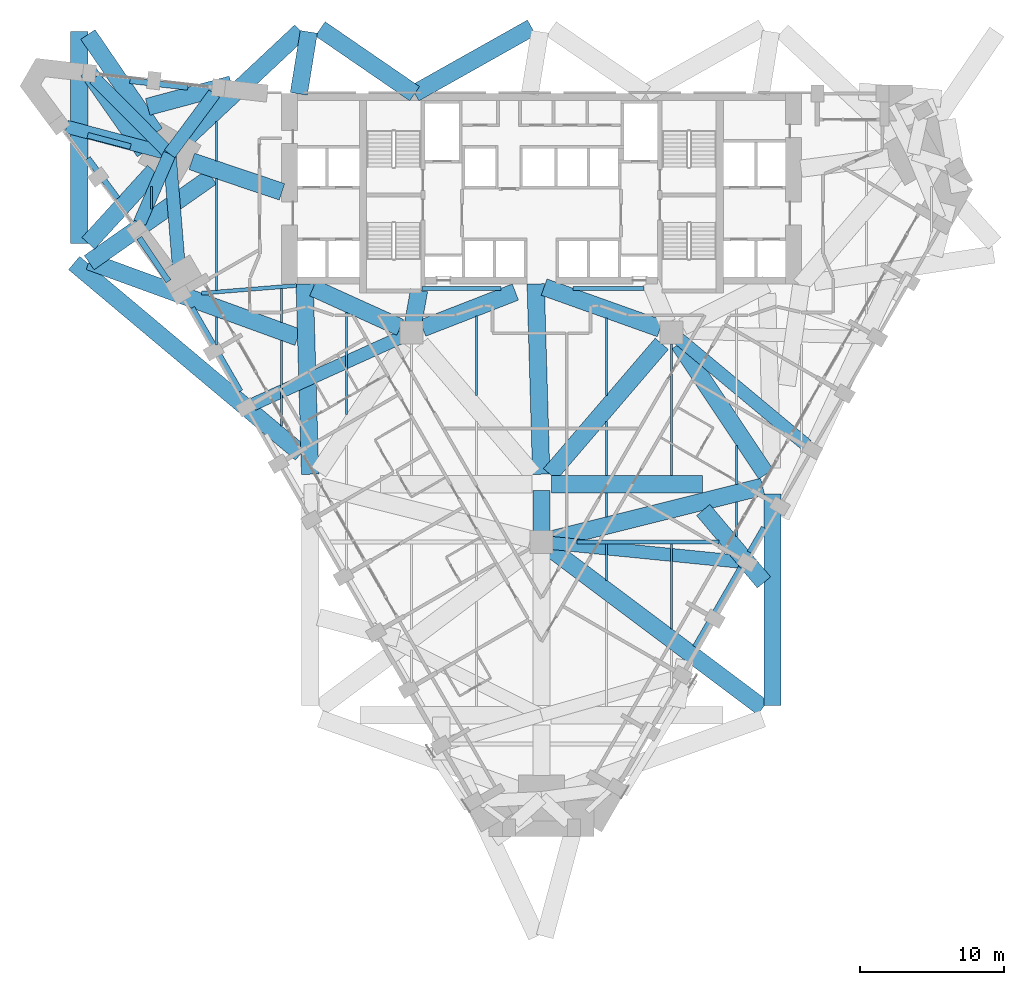
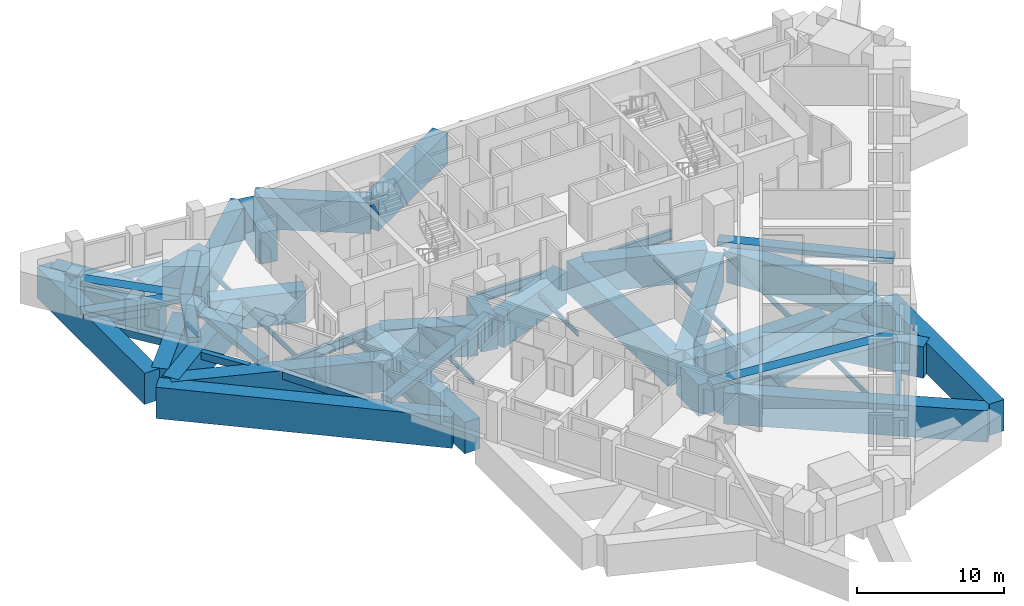
# One storey, part 2 of 12: 62 beams.
"""IFC4 building model written with IfcOpenShell, lengths in metres."""

from ifc_helpers import new_model, si_unit, direction, frame, origin, origin_2d, place, context, subcontext, project, spatial, rectangle, i_section, extrude, material, material_profile, profile_set, type_object, element, save


model = new_model("IFC4")

# Units and contexts
model_context = context("Model", 3, precision=1e-05, world=origin(), true_north=direction((0.0, 1.0)))
body_context = subcontext(model_context, "Body", "Model", "MODEL_VIEW")
ifc_project = project(units=[si_unit("LENGTHUNIT", "METRE"), si_unit("AREAUNIT", "SQUARE_METRE"), si_unit("VOLUMEUNIT", "CUBIC_METRE"), si_unit("PLANEANGLEUNIT", "RADIAN"), si_unit("MASSUNIT", "GRAM", prefix="KILO")], contexts=[model_context])

# Site, building, storey
site_placement = place(None, origin())
site = spatial("IfcSite", under=ifc_project, at=site_placement, CompositionType="ELEMENT")
building_placement = place(site_placement, origin())
building = spatial("IfcBuilding", under=site, at=building_placement, Name="Calabash Gate Tower", CompositionType="ELEMENT")
storey_placement = place(building_placement, frame((0.0, 0.0, 46.0)))
storey = spatial("IfcBuildingStorey", under=building, at=storey_placement, Name="L06", CompositionType="ELEMENT", Elevation=46.0)

# Beams
ifc_material_1 = material(Name="Concrete C80/95", Category="concrete")
ifc_material_profile_1 = material_profile(ifc_material_1, rectangle(XDim=0.89990234375, YDim=0.39990234375, at=origin_2d()))
ifc_profile_set_1 = profile_set([ifc_material_profile_1], Name="Concrete C80/95")
beam_type_1 = type_object("IfcBeamType", Name="Deck band beam RC 900x400 Concrete C80/95", PredefinedType="BEAM", material=ifc_profile_set_1)
beam_1_placement = place(storey_placement, frame((-25.75, 14.866943359375, -0.200927734375), z_axis=(0.081703509981, -0.996656679332, 0.0), x_axis=(0.996656679332, 0.081703509981, 0.0)))
element("IfcBeam", 1, at=beam_1_placement, inside=storey, type_object=beam_type_1, Name="Deck band beam L06 P00", PredefinedType="BEAM", context=body_context, shape_type="SweptSolid", body=[
    extrude(rectangle(XDim=0.89990234375, YDim=0.39990234375, at=origin_2d()), origin(), (0.0, 0.0, 1.0), 9.2900390625),
])
beam_2_placement = place(storey_placement, frame((-9.0, 2.5, -0.200927734375), z_axis=(-0.910951024484, -0.412514522158, 0.0), x_axis=(0.412514522158, -0.910951024484, 0.0)))
element("IfcBeam", 2, at=beam_2_placement, inside=storey, type_object=beam_type_1, Name="Deck band beam L06 P01", PredefinedType="BEAM", context=body_context, shape_type="SweptSolid", body=[
    extrude(rectangle(XDim=0.89990234375, YDim=0.39990234375, at=origin_2d()), origin(), (0.0, 0.0, 1.0), 12.067626953125),
])
beam_3_placement = place(storey_placement, frame((0.0, -12.0, -0.200927734375), z_axis=(0.995045582013, -0.099419765225, 0.0), x_axis=(0.099419765225, 0.995045582013, 0.0)))
element("IfcBeam", 3, at=beam_3_placement, inside=storey, type_object=beam_type_1, Name="Deck band beam L06 P10", PredefinedType="BEAM", context=body_context, shape_type="SweptSolid", body=[
    extrude(rectangle(XDim=0.89990234375, YDim=0.39990234375, at=origin_2d()), origin(), (0.0, 0.0, 1.0), 13.8203125),
])
beam_4_placement = place(storey_placement, frame((9.0, 2.5, -0.200927734375), z_axis=(0.76805550841, -0.640383272737, 0.0), x_axis=(0.640383272737, 0.76805550841, 0.0)))
element("IfcBeam", 4, at=beam_4_placement, inside=storey, type_object=beam_type_1, Name="Deck band beam L06 P11", PredefinedType="BEAM", context=body_context, shape_type="SweptSolid", body=[
    extrude(rectangle(XDim=0.89990234375, YDim=0.39990234375, at=origin_2d()), origin(), (0.0, 0.0, 1.0), 12.1943359375),
])
beam_5_placement = place(storey_placement, frame((-25.75, 14.866943359375, -0.200927734375), z_axis=(0.595078969513, 0.803667232157, 0.0), x_axis=(-0.803667232157, 0.595078969513, 0.0)))
element("IfcBeam", 5, at=beam_5_placement, inside=storey, type_object=beam_type_1, Name="Deck band beam L06 P17", PredefinedType="BEAM", context=body_context, shape_type="SweptSolid", body=[
    extrude(rectangle(XDim=0.89990234375, YDim=0.39990234375, at=origin_2d()), origin(), (0.0, 0.0, 1.0), 5.1875),
])
beam_6_placement = place(storey_placement, frame((-25.75, 14.866943359375, -0.200927734375), z_axis=(-0.704805919381, 0.709400180438, 0.0), x_axis=(-0.709400180438, -0.704805919381, 0.0)))
element("IfcBeam", 6, at=beam_6_placement, inside=storey, type_object=beam_type_1, Name="Deck band beam L06 P18", PredefinedType="BEAM", context=body_context, shape_type="SweptSolid", body=[
    extrude(rectangle(XDim=0.89990234375, YDim=0.39990234375, at=origin_2d()), origin(), (0.0, 0.0, 1.0), 7.386474609375),
])
beam_7_placement = place(storey_placement, frame((-25.75, 14.866943359375, -0.200927734375), z_axis=(-0.966719171341, 0.255839879146, 0.0), x_axis=(-0.255839879146, -0.966719171341, 0.0)))
element("IfcBeam", 7, at=beam_7_placement, inside=storey, type_object=beam_type_1, Name="Deck band beam L06 P19", PredefinedType="BEAM", context=body_context, shape_type="SweptSolid", body=[
    extrude(rectangle(XDim=0.89990234375, YDim=0.39990234375, at=origin_2d()), origin(), (0.0, 0.0, 1.0), 7.387939453125),
])
beam_8_placement = place(storey_placement, frame((-25.75, 14.866943359375, -0.200927734375), z_axis=(-0.398714063737, -0.91707529428, 0.0), x_axis=(0.91707529428, -0.398714063737, 0.0)))
element("IfcBeam", 8, at=beam_8_placement, inside=storey, type_object=beam_type_1, Name="Deck band beam L06 P20", PredefinedType="BEAM", context=body_context, shape_type="SweptSolid", body=[
    extrude(rectangle(XDim=0.89990234375, YDim=0.39990234375, at=origin_2d()), origin(), (0.0, 0.0, 1.0), 5.18701171875),
])
ifc_material_2 = material(Name="Concrete C60/75", Category="concrete")
ifc_material_profile_2 = material_profile(ifc_material_2, rectangle(XDim=0.39990234375, YDim=0.60009765625, at=origin_2d()))
ifc_profile_set_2 = profile_set([ifc_material_profile_2], Name="Concrete C60/75")
beam_type_2 = type_object("IfcBeamType", Name="Edge beam RC 400x600 Concrete C60/75", PredefinedType="BEAM", material=ifc_profile_set_2)
beam_9_placement = place(storey_placement, frame((10.64306640625, -19.27197265625, -0.75), z_axis=(0.500127776063, 0.86595161967, 0.0), x_axis=(-0.86595161967, 0.500127776063, 0.0)))
element("IfcBeam", 9, at=beam_9_placement, inside=storey, type_object=beam_type_2, Name="Edge beam L06 8", PredefinedType="BEAM", context=body_context, shape_type="SweptSolid", body=[
    extrude(rectangle(XDim=0.39990234375, YDim=0.60009765625, at=origin_2d()), origin(), (0.0, 0.0, 1.0), 6.325927734375),
])
beam_10_placement = place(storey_placement, frame((14.4208984375, -12.72607421875, -0.75), z_axis=(0.500131695978, 0.865949355724, 0.0), x_axis=(-0.865949355724, 0.500131695978, 0.0)))
element("IfcBeam", 10, at=beam_10_placement, inside=storey, type_object=beam_type_2, Name="Edge beam L06 9", PredefinedType="BEAM", context=body_context, shape_type="SweptSolid", body=[
    extrude(rectangle(XDim=0.39990234375, YDim=0.60009765625, at=origin_2d()), origin(), (0.0, 0.0, 1.0), 1.9794921875),
])
beam_11_placement = place(storey_placement, frame((-24.486083984375, 19.47900390625, -0.75), z_axis=(-0.993480407873, 0.114002978792, 0.0), x_axis=(-0.114002978792, -0.993480407873, 0.0)))
element("IfcBeam", 11, at=beam_11_placement, inside=storey, type_object=beam_type_2, Name="Edge beam L06 11", PredefinedType="BEAM", context=body_context, shape_type="SweptSolid", body=[
    extrude(rectangle(XDim=0.39990234375, YDim=0.60009765625, at=origin_2d()), origin(), (0.0, 0.0, 1.0), 4.043212890625),
])
beam_12_placement = place(storey_placement, frame((-28.4541015625, 15.376953125, -0.75), z_axis=(-0.966974480662, 0.254873211123, 0.0), x_axis=(-0.254873211123, -0.966974480662, 0.0)))
element("IfcBeam", 12, at=beam_12_placement, inside=storey, type_object=beam_type_2, Name="Edge beam L06 12", PredefinedType="BEAM", context=body_context, shape_type="SweptSolid", body=[
    extrude(rectangle(XDim=0.39990234375, YDim=0.60009765625, at=origin_2d()), origin(), (0.0, 0.0, 1.0), 3.068115234375),
])
beam_13_placement = place(storey_placement, frame((-31.4130859375, 14.571044921875, -0.75), z_axis=(0.595379192421, -0.803444843926, 0.0), x_axis=(0.803444843926, 0.595379192421, 0.0)))
element("IfcBeam", 13, at=beam_13_placement, inside=storey, type_object=beam_type_2, Name="Edge beam L06 13", PredefinedType="BEAM", context=body_context, shape_type="SweptSolid", body=[
    extrude(rectangle(XDim=0.39990234375, YDim=0.60009765625, at=origin_2d()), origin(), (0.0, 0.0, 1.0), 3.465087890625),
])
beam_14_placement = place(storey_placement, frame((-27.85791015625, 9.05810546875, -0.75), z_axis=(0.559604364176, -0.828759890194, 0.0), x_axis=(0.828759890194, 0.559604364176, 0.0)))
element("IfcBeam", 14, at=beam_14_placement, inside=storey, type_object=beam_type_2, Name="Edge beam L06 14", PredefinedType="BEAM", context=body_context, shape_type="SweptSolid", body=[
    extrude(rectangle(XDim=0.39990234375, YDim=0.60009765625, at=origin_2d()), origin(), (0.0, 0.0, 1.0), 3.634521484375),
])
beam_15_placement = place(storey_placement, frame((-24.197021484375, 4.20703125, -0.75), z_axis=(0.499903079731, -0.866081353497, 0.0), x_axis=(0.866081353497, 0.499903079731, 0.0)))
element("IfcBeam", 15, at=beam_15_placement, inside=storey, type_object=beam_type_2, Name="Edge beam L06 15", PredefinedType="BEAM", context=body_context, shape_type="SweptSolid", body=[
    extrude(rectangle(XDim=0.39990234375, YDim=0.60009765625, at=origin_2d()), origin(), (0.0, 0.0, 1.0), 6.669189453125),
])
ifc_material_3 = material(Name="Steel ASTM A992 Gr50", Category="steel")
ifc_material_profile_3 = material_profile(ifc_material_3, i_section(OverallWidth=0.1396484375, OverallDepth=0.398681640625, WebThickness=0.00634765625, FlangeThickness=0.0087890625, FilletRadius=0.01025390625, at=origin_2d()))
ifc_profile_set_3 = profile_set([ifc_material_profile_3], Name="Steel ASTM A992 Gr50")
beam_type_3 = type_object("IfcBeamType", Name="Floor beam W16x26 ASTM A992 Gr50", PredefinedType="BEAM", material=ifc_profile_set_3)
beam_16_placement = place(storey_placement, frame((-27.0, 11.06396484375, -0.64892578125), z_axis=(0.0, 1.0, 0.0), x_axis=(-1.0, 0.0, 0.0)))
element("IfcBeam", 16, at=beam_16_placement, inside=storey, type_object=beam_type_3, Name="Floor beam L06 1", PredefinedType="BEAM", context=body_context, shape_type="SweptSolid", body=[
    extrude(i_section(OverallWidth=0.1396484375, OverallDepth=0.398681640625, WebThickness=0.00634765625, FlangeThickness=0.0087890625, FilletRadius=0.01025390625, at=origin_2d()), origin(), (0.0, 0.0, 1.0), 1.550048828125),
])
beam_17_placement = place(storey_placement, frame((-22.5, 1.634033203125, -0.64892578125), z_axis=(0.0, 1.0, 0.0), x_axis=(-1.0, 0.0, 0.0)))
element("IfcBeam", 17, at=beam_17_placement, inside=storey, type_object=beam_type_3, Name="Floor beam L06 2", PredefinedType="BEAM", context=body_context, shape_type="SweptSolid", body=[
    extrude(i_section(OverallWidth=0.1396484375, OverallDepth=0.398681640625, WebThickness=0.00634765625, FlangeThickness=0.0087890625, FilletRadius=0.01025390625, at=origin_2d()), origin(), (0.0, 0.0, 1.0), 1.95703125),
])
beam_18_placement = place(storey_placement, frame((-22.5, 5.4189453125, -0.64892578125), z_axis=(0.0, 1.0, 0.0), x_axis=(-1.0, 0.0, 0.0)))
element("IfcBeam", 18, at=beam_18_placement, inside=storey, type_object=beam_type_3, Name="Floor beam L06 3", PredefinedType="BEAM", context=body_context, shape_type="SweptSolid", body=[
    extrude(i_section(OverallWidth=0.1396484375, OverallDepth=0.398681640625, WebThickness=0.00634765625, FlangeThickness=0.0087890625, FilletRadius=0.01025390625, at=origin_2d()), origin(), (0.0, 0.0, 1.0), 7.739990234375),
])
beam_19_placement = place(storey_placement, frame((-22.5, 14.39208984375, -0.64892578125), z_axis=(0.0, 1.0, 0.0), x_axis=(-1.0, 0.0, 0.0)))
element("IfcBeam", 19, at=beam_19_placement, inside=storey, type_object=beam_type_3, Name="Floor beam L06 4", PredefinedType="BEAM", context=body_context, shape_type="SweptSolid", body=[
    extrude(i_section(OverallWidth=0.1396484375, OverallDepth=0.398681640625, WebThickness=0.00634765625, FlangeThickness=0.0087890625, FilletRadius=0.01025390625, at=origin_2d()), origin(), (0.0, 0.0, 1.0), 2.708984375),
])
beam_20_placement = place(storey_placement, frame((-18.0, -3.97900390625, -0.64892578125), z_axis=(0.0, 1.0, 0.0), x_axis=(-1.0, 0.0, 0.0)))
element("IfcBeam", 20, at=beam_20_placement, inside=storey, type_object=beam_type_3, Name="Floor beam L06 5", PredefinedType="BEAM", context=body_context, shape_type="SweptSolid", body=[
    extrude(i_section(OverallWidth=0.1396484375, OverallDepth=0.398681640625, WebThickness=0.00634765625, FlangeThickness=0.0087890625, FilletRadius=0.01025390625, at=origin_2d()), origin(), (0.0, 0.0, 1.0), 5.931884765625),
])
beam_21_placement = place(storey_placement, frame((-18.0, 3.18603515625, -0.64892578125), z_axis=(0.0, 1.0, 0.0), x_axis=(-1.0, 0.0, 0.0)))
element("IfcBeam", 21, at=beam_21_placement, inside=storey, type_object=beam_type_3, Name="Floor beam L06 6", PredefinedType="BEAM", context=body_context, shape_type="SweptSolid", body=[
    extrude(i_section(OverallWidth=0.1396484375, OverallDepth=0.398681640625, WebThickness=0.00634765625, FlangeThickness=0.0087890625, FilletRadius=0.01025390625, at=origin_2d()), origin(), (0.0, 0.0, 1.0), 2.3720703125),
])
beam_22_placement = place(storey_placement, frame((-13.5, -3.18994140625, -0.64892578125), z_axis=(0.0, 1.0, 0.0), x_axis=(-1.0, 0.0, 0.0)))
element("IfcBeam", 22, at=beam_22_placement, inside=storey, type_object=beam_type_3, Name="Floor beam L06 10", PredefinedType="BEAM", context=body_context, shape_type="SweptSolid", body=[
    extrude(i_section(OverallWidth=0.1396484375, OverallDepth=0.398681640625, WebThickness=0.00634765625, FlangeThickness=0.0087890625, FilletRadius=0.01025390625, at=origin_2d()), origin(), (0.0, 0.0, 1.0), 7.092041015625),
])
beam_23_placement = place(storey_placement, frame((-4.5, -1.85009765625, -0.64892578125), z_axis=(0.0, 1.0, 0.0), x_axis=(-1.0, 0.0, 0.0)))
element("IfcBeam", 23, at=beam_23_placement, inside=storey, type_object=beam_type_3, Name="Floor beam L06 18", PredefinedType="BEAM", context=body_context, shape_type="SweptSolid", body=[
    extrude(i_section(OverallWidth=0.1396484375, OverallDepth=0.398681640625, WebThickness=0.00634765625, FlangeThickness=0.0087890625, FilletRadius=0.01025390625, at=origin_2d()), origin(), (0.0, 0.0, 1.0), 5.4921875),
])
beam_24_placement = place(storey_placement, frame((4.5, -14.656982421875, -0.64892578125), z_axis=(0.0, 1.0, 0.0), x_axis=(-1.0, 0.0, 0.0)))
element("IfcBeam", 24, at=beam_24_placement, inside=storey, type_object=beam_type_3, Name="Floor beam L06 20", PredefinedType="BEAM", context=body_context, shape_type="SweptSolid", body=[
    extrude(i_section(OverallWidth=0.1396484375, OverallDepth=0.398681640625, WebThickness=0.00634765625, FlangeThickness=0.0087890625, FilletRadius=0.01025390625, at=origin_2d()), origin(), (0.0, 0.0, 1.0), 2.52392578125),
])
beam_25_placement = place(storey_placement, frame((4.5, -10.279052734375, -0.64892578125), z_axis=(0.0, 1.0, 0.0), x_axis=(-1.0, 0.0, 0.0)))
element("IfcBeam", 25, at=beam_25_placement, inside=storey, type_object=beam_type_3, Name="Floor beam L06 21", PredefinedType="BEAM", context=body_context, shape_type="SweptSolid", body=[
    extrude(i_section(OverallWidth=0.1396484375, OverallDepth=0.398681640625, WebThickness=0.00634765625, FlangeThickness=0.0087890625, FilletRadius=0.01025390625, at=origin_2d()), origin(), (0.0, 0.0, 1.0), 1.678955078125),
])
beam_26_placement = place(storey_placement, frame((4.5, -7.39990234375, -0.64892578125), z_axis=(0.0, 1.0, 0.0), x_axis=(-1.0, 0.0, 0.0)))
element("IfcBeam", 26, at=beam_26_placement, inside=storey, type_object=beam_type_3, Name="Floor beam L06 22", PredefinedType="BEAM", context=body_context, shape_type="SweptSolid", body=[
    extrude(i_section(OverallWidth=0.1396484375, OverallDepth=0.398681640625, WebThickness=0.00634765625, FlangeThickness=0.0087890625, FilletRadius=0.01025390625, at=origin_2d()), origin(), (0.0, 0.0, 1.0), 3.75),
])
beam_27_placement = place(storey_placement, frame((4.5, -1.85009765625, -0.64892578125), z_axis=(0.0, 1.0, 0.0), x_axis=(-1.0, 0.0, 0.0)))
element("IfcBeam", 27, at=beam_27_placement, inside=storey, type_object=beam_type_3, Name="Floor beam L06 23", PredefinedType="BEAM", context=body_context, shape_type="SweptSolid", body=[
    extrude(i_section(OverallWidth=0.1396484375, OverallDepth=0.398681640625, WebThickness=0.00634765625, FlangeThickness=0.0087890625, FilletRadius=0.01025390625, at=origin_2d()), origin(), (0.0, 0.0, 1.0), 5.35009765625),
])
beam_28_placement = place(storey_placement, frame((9.0, -18.011962890625, -0.64892578125), z_axis=(0.0, 1.0, 0.0), x_axis=(-1.0, 0.0, 0.0)))
element("IfcBeam", 28, at=beam_28_placement, inside=storey, type_object=beam_type_3, Name="Floor beam L06 25", PredefinedType="BEAM", context=body_context, shape_type="SweptSolid", body=[
    extrude(i_section(OverallWidth=0.1396484375, OverallDepth=0.398681640625, WebThickness=0.00634765625, FlangeThickness=0.0087890625, FilletRadius=0.01025390625, at=origin_2d()), origin(), (0.0, 0.0, 1.0), 5.87890625),
])
beam_29_placement = place(storey_placement, frame((13.5, -11.617919921875, -0.64892578125), z_axis=(0.0, 1.0, 0.0), x_axis=(-1.0, 0.0, 0.0)))
element("IfcBeam", 29, at=beam_29_placement, inside=storey, type_object=beam_type_3, Name="Floor beam L06 27", PredefinedType="BEAM", context=body_context, shape_type="SweptSolid", body=[
    extrude(i_section(OverallWidth=0.1396484375, OverallDepth=0.398681640625, WebThickness=0.00634765625, FlangeThickness=0.0087890625, FilletRadius=0.01025390625, at=origin_2d()), origin(), (0.0, 0.0, 1.0), 2.39697265625),
])
beam_30_placement = place(storey_placement, frame((13.5, -8.029052734375, -0.64892578125), z_axis=(0.0, 1.0, 0.0), x_axis=(-1.0, 0.0, 0.0)))
element("IfcBeam", 30, at=beam_30_placement, inside=storey, type_object=beam_type_3, Name="Floor beam L06 28", PredefinedType="BEAM", context=body_context, shape_type="SweptSolid", body=[
    extrude(i_section(OverallWidth=0.1396484375, OverallDepth=0.398681640625, WebThickness=0.00634765625, FlangeThickness=0.0087890625, FilletRadius=0.01025390625, at=origin_2d()), origin(), (0.0, 0.0, 1.0), 2.718994140625),
])
ifc_material_4 = material(Name="Steel ASTM A992 Gr50", Category="steel")
ifc_material_profile_4 = material_profile(ifc_material_4, i_section(OverallWidth=0.15234375, OverallDepth=0.44970703125, WebThickness=0.007568359375, FlangeThickness=0.0107421875, FilletRadius=0.01025390625, at=origin_2d()))
ifc_profile_set_4 = profile_set([ifc_material_profile_4], Name="Steel ASTM A992 Gr50")
beam_type_4 = type_object("IfcBeamType", Name="Floor beam W18x35 ASTM A992 Gr50", PredefinedType="BEAM", material=ifc_profile_set_4)
beam_31_placement = place(storey_placement, frame((9.0, -7.39990234375, -0.673095703125), z_axis=(0.0, 1.0, 0.0), x_axis=(-1.0, 0.0, 0.0)))
element("IfcBeam", 31, at=beam_31_placement, inside=storey, type_object=beam_type_4, Name="Floor beam L06 26", PredefinedType="BEAM", context=body_context, shape_type="SweptSolid", body=[
    extrude(i_section(OverallWidth=0.15234375, OverallDepth=0.44970703125, WebThickness=0.007568359375, FlangeThickness=0.0107421875, FilletRadius=0.01025390625, at=origin_2d()), origin(), (0.0, 0.0, 1.0), 9.121826171875),
])
ifc_material_5 = material(Name="Steel ASTM A992 Gr50", Category="steel")
ifc_material_profile_5 = material_profile(ifc_material_5, i_section(OverallWidth=0.2666015625, OverallDepth=0.77978515625, WebThickness=0.0166015625, FlangeThickness=0.030029296875, FilletRadius=0.0166015625, at=origin_2d()))
ifc_profile_set_5 = profile_set([ifc_material_profile_5], Name="Steel ASTM A992 Gr50")
beam_type_5 = type_object("IfcBeamType", Name="Girder W30x148 ASTM A992 Gr50", PredefinedType="BEAM", material=ifc_profile_set_5)
beam_32_placement = place(storey_placement, frame((-8.27197265625, 5.552978515625, -0.840087890625), z_axis=(1.0, 0.0, 0.0), x_axis=(0.0, 1.0, 0.0)))
element("IfcBeam", 32, at=beam_32_placement, inside=storey, type_object=beam_type_5, Name="Girder L06 1", PredefinedType="BEAM", context=body_context, shape_type="SweptSolid", body=[
    extrude(i_section(OverallWidth=0.2666015625, OverallDepth=0.77978515625, WebThickness=0.0166015625, FlangeThickness=0.030029296875, FilletRadius=0.0166015625, at=origin_2d()), origin(), (0.0, 0.0, 1.0), 5.471923828125),
])
beam_33_placement = place(storey_placement, frame((2.197021484375, 5.552978515625, -0.840087890625), z_axis=(1.0, 0.0, 0.0), x_axis=(0.0, 1.0, 0.0)))
element("IfcBeam", 33, at=beam_33_placement, inside=storey, type_object=beam_type_5, Name="Girder L06 2", PredefinedType="BEAM", context=body_context, shape_type="SweptSolid", body=[
    extrude(i_section(OverallWidth=0.2666015625, OverallDepth=0.77978515625, WebThickness=0.0166015625, FlangeThickness=0.030029296875, FilletRadius=0.0166015625, at=origin_2d()), origin(), (0.0, 0.0, 1.0), 4.89990234375),
])
beam_34_placement = place(storey_placement, frame((-23.535888671875, 5.222900390625, -0.840087890625), z_axis=(0.996766637892, 0.080350915271, 0.0), x_axis=(-0.080350915271, 0.996766637892, 0.0)))
element("IfcBeam", 34, at=beam_34_placement, inside=storey, type_object=beam_type_5, Name="Girder L06 3", PredefinedType="BEAM", context=body_context, shape_type="SweptSolid", body=[
    extrude(i_section(OverallWidth=0.2666015625, OverallDepth=0.77978515625, WebThickness=0.0166015625, FlangeThickness=0.030029296875, FilletRadius=0.0166015625, at=origin_2d()), origin(), (0.0, 0.0, 1.0), 6.584228515625),
])
beam_35_placement = place(storey_placement, frame((2.4619140625, -12.0, -0.840087890625), z_axis=(1.0, 0.0, 0.0), x_axis=(0.0, 1.0, 0.0)))
element("IfcBeam", 35, at=beam_35_placement, inside=storey, type_object=beam_type_5, Name="Girder L06 6", PredefinedType="BEAM", context=body_context, shape_type="SweptSolid", body=[
    extrude(i_section(OverallWidth=0.2666015625, OverallDepth=0.77978515625, WebThickness=0.0166015625, FlangeThickness=0.030029296875, FilletRadius=0.0166015625, at=origin_2d()), origin(), (0.0, 0.0, 1.0), 9.842041015625),
])
ifc_material_6 = material(Name="Concrete C80/95", Category="concrete")
ifc_material_profile_6 = material_profile(ifc_material_6, rectangle(XDim=1.199951171875, YDim=2.60009765625, at=origin_2d()))
ifc_profile_set_6 = profile_set([ifc_material_profile_6], Name="Concrete C80/95")
beam_type_6 = type_object("IfcBeamType", Name="Transfer beam RC 1200x2600 Concrete C80/95", PredefinedType="BEAM", material=ifc_profile_set_6)
beam_36_placement = place(storey_placement, frame((-16.873046875, 2.169921875, -1.75), z_axis=(-0.939704840294, 0.341986568638, 0.0), x_axis=(-0.341986568638, -0.939704840294, 0.0)))
element("IfcBeam", 36, at=beam_36_placement, inside=storey, type_object=beam_type_6, Name="Transfer beam L06 48", PredefinedType="BEAM", context=body_context, shape_type="SweptSolid", body=[
    extrude(rectangle(XDim=1.199951171875, YDim=2.60009765625, at=origin_2d()), origin(), (0.0, 0.0, 1.0), 15.375),
])
beam_37_placement = place(storey_placement, frame((-16.653076171875, -5.87109375, -1.75), z_axis=(-0.766035372119, 0.642798419929, 0.0), x_axis=(-0.642798419929, -0.766035372119, 0.0)))
element("IfcBeam", 37, at=beam_37_placement, inside=storey, type_object=beam_type_6, Name="Transfer beam L06 49", PredefinedType="BEAM", context=body_context, shape_type="SweptSolid", body=[
    extrude(rectangle(XDim=1.199951171875, YDim=2.60009765625, at=origin_2d()), origin(), (0.0, 0.0, 1.0), 20.511962890625),
])
beam_38_placement = place(storey_placement, frame((15.407958984375, -14.802978515625, -1.75), z_axis=(-0.642862260985, 0.765981797043, 0.0), x_axis=(-0.765981797043, -0.642862260985, 0.0)))
element("IfcBeam", 38, at=beam_38_placement, inside=storey, type_object=beam_type_6, Name="Transfer beam L06 56", PredefinedType="BEAM", context=body_context, shape_type="SweptSolid", body=[
    extrude(rectangle(XDim=1.199951171875, YDim=2.60009765625, at=origin_2d()), origin(), (0.0, 0.0, 1.0), 6.545654296875),
])
beam_39_placement = place(storey_placement, frame((-27.26611328125, 18.126953125, -1.75), z_axis=(0.96599214952, 0.258571396459, 0.0), x_axis=(-0.258571396459, 0.96599214952, 0.0)))
element("IfcBeam", 39, at=beam_39_placement, inside=storey, type_object=beam_type_6, Name="Transfer beam L06 62", PredefinedType="BEAM", context=body_context, shape_type="SweptSolid", body=[
    extrude(rectangle(XDim=1.199951171875, YDim=2.60009765625, at=origin_2d()), origin(), (0.0, 0.0, 1.0), 6.002197265625),
])
beam_40_placement = place(storey_placement, frame((-27.490966796875, 15.010009765625, -1.75), z_axis=(-0.573538920126, 0.819178312152, 0.0), x_axis=(-0.819178312152, -0.573538920126, 0.0)))
element("IfcBeam", 40, at=beam_40_placement, inside=storey, type_object=beam_type_6, Name="Transfer beam L06 63", PredefinedType="BEAM", context=body_context, shape_type="SweptSolid", body=[
    extrude(rectangle(XDim=1.199951171875, YDim=2.60009765625, at=origin_2d()), origin(), (0.0, 0.0, 1.0), 6.846923828125),
])
beam_41_placement = place(storey_placement, frame((-31.319091796875, 7.339111328125, -1.75), z_axis=(0.819112152985, 0.573633402821, 0.0), x_axis=(-0.573633402821, 0.819112152985, 0.0)))
element("IfcBeam", 41, at=beam_41_placement, inside=storey, type_object=beam_type_6, Name="Transfer beam L06 64", PredefinedType="BEAM", context=body_context, shape_type="SweptSolid", body=[
    extrude(rectangle(XDim=1.199951171875, YDim=2.60009765625, at=origin_2d()), origin(), (0.0, 0.0, 1.0), 10.34423828125),
])
ifc_material_7 = material(Name="Concrete C80/95", Category="concrete")
ifc_material_profile_7 = material_profile(ifc_material_7, rectangle(XDim=1.199951171875, YDim=2.60009765625, at=origin_2d()))
ifc_profile_set_7 = profile_set([ifc_material_profile_7], Name="Concrete C80/95")
beam_type_7 = type_object("IfcBeamType", Name="Transfer girder RC 1200x2600 Concrete C80/95", PredefinedType="BEAM", material=ifc_profile_set_7)
beam_42_placement = place(storey_placement, frame((-32.0, 8.66796875, -1.75), z_axis=(0.0, 1.0, 0.0), x_axis=(-1.0, 0.0, 0.0)))
element("IfcBeam", 42, at=beam_42_placement, inside=storey, type_object=beam_type_7, Name="Transfer girder L06 1", PredefinedType="BEAM", context=body_context, shape_type="SweptSolid", body=[
    extrude(rectangle(XDim=1.199951171875, YDim=2.60009765625, at=origin_2d()), origin(), (0.0, 0.0, 1.0), 14.6640625),
])
beam_43_placement = place(storey_placement, frame((-31.382080078125, 8.678955078125, -1.75), z_axis=(0.673188622561, 0.739470809737, 0.0), x_axis=(-0.739470809737, 0.673188622561, 0.0)))
element("IfcBeam", 43, at=beam_43_placement, inside=storey, type_object=beam_type_7, Name="Transfer girder L06 2", PredefinedType="BEAM", context=body_context, shape_type="SweptSolid", body=[
    extrude(rectangle(XDim=1.199951171875, YDim=2.60009765625, at=origin_2d()), origin(), (0.0, 0.0, 1.0), 6.759033203125),
])
beam_44_placement = place(storey_placement, frame((-31.407958984375, 23.136962890625, -1.75), z_axis=(0.564655318365, -0.825326827047, 0.0), x_axis=(0.825326827047, 0.564655318365, 0.0)))
element("IfcBeam", 44, at=beam_44_placement, inside=storey, type_object=beam_type_7, Name="Transfer girder L06 3", PredefinedType="BEAM", context=body_context, shape_type="SweptSolid", body=[
    extrude(rectangle(XDim=1.199951171875, YDim=2.60009765625, at=origin_2d()), origin(), (0.0, 0.0, 1.0), 8.263427734375),
])
beam_45_placement = place(storey_placement, frame((-24.217041015625, 14.34912109375, -1.75), z_axis=(0.947547803322, -0.319614080447, 0.0), x_axis=(0.319614080447, 0.947547803322, 0.0)))
element("IfcBeam", 45, at=beam_45_placement, inside=storey, type_object=beam_type_7, Name="Transfer girder L06 4", PredefinedType="BEAM", context=body_context, shape_type="SweptSolid", body=[
    extrude(rectangle(XDim=1.199951171875, YDim=2.60009765625, at=origin_2d()), origin(), (0.0, 0.0, 1.0), 6.5927734375),
])
beam_46_placement = place(storey_placement, frame((-24.5400390625, 16.0, -1.75), z_axis=(0.729797901463, 0.683662945479, 0.0), x_axis=(-0.683662945479, 0.729797901463, 0.0)))
element("IfcBeam", 46, at=beam_46_placement, inside=storey, type_object=beam_type_7, Name="Transfer girder L06 5", PredefinedType="BEAM", context=body_context, shape_type="SweptSolid", body=[
    extrude(rectangle(XDim=1.199951171875, YDim=2.60009765625, at=origin_2d()), origin(), (0.0, 0.0, 1.0), 10.774169921875),
])
beam_47_placement = place(storey_placement, frame((-16.803955078125, 19.031005859375, -1.75), z_axis=(0.159659860609, 0.987172086776, 0.0), x_axis=(-0.987172086776, 0.159659860609, 0.0)))
element("IfcBeam", 47, at=beam_47_placement, inside=storey, type_object=beam_type_7, Name="Transfer girder L06 6", PredefinedType="BEAM", context=body_context, shape_type="SweptSolid", body=[
    extrude(rectangle(XDim=1.199951171875, YDim=2.60009765625, at=origin_2d()), origin(), (0.0, 0.0, 1.0), 4.345703125),
])
beam_48_placement = place(storey_placement, frame((-16.39990234375, 5.866943359375, -1.75), z_axis=(0.028812989373, -0.999584819634, 0.0), x_axis=(0.999584819634, 0.028812989373, 0.0)))
element("IfcBeam", 48, at=beam_48_placement, inside=storey, type_object=beam_type_7, Name="Transfer girder L06 7", PredefinedType="BEAM", context=body_context, shape_type="SweptSolid", body=[
    extrude(rectangle(XDim=1.199951171875, YDim=2.60009765625, at=origin_2d()), origin(), (0.0, 0.0, 1.0), 13.184326171875),
])
beam_49_placement = place(storey_placement, frame((-15.81005859375, 5.5869140625, -1.75), z_axis=(0.910771542315, -0.412910641313, 0.0), x_axis=(0.412910641313, 0.910771542315, 0.0)))
element("IfcBeam", 49, at=beam_49_placement, inside=storey, type_object=beam_type_7, Name="Transfer girder L06 8", PredefinedType="BEAM", context=body_context, shape_type="SweptSolid", body=[
    extrude(rectangle(XDim=1.199951171875, YDim=2.60009765625, at=origin_2d()), origin(), (0.0, 0.0, 1.0), 6.61865234375),
])
beam_50_placement = place(storey_placement, frame((-15.318115234375, 23.531005859375, -1.75), z_axis=(0.82419639398, -0.56630407393, 0.0), x_axis=(0.56630407393, 0.82419639398, 0.0)))
element("IfcBeam", 50, at=beam_50_placement, inside=storey, type_object=beam_type_7, Name="Transfer girder L06 13", PredefinedType="BEAM", context=body_context, shape_type="SweptSolid", body=[
    extrude(rectangle(XDim=1.199951171875, YDim=2.60009765625, at=origin_2d()), origin(), (0.0, 0.0, 1.0), 7.930419921875),
])
beam_51_placement = place(storey_placement, frame((-9.00390625, 2.47802734375, -1.75), z_axis=(0.176987474251, 0.984213103936, 0.0), x_axis=(-0.984213103936, 0.176987474251, 0.0)))
element("IfcBeam", 51, at=beam_51_placement, inside=storey, type_object=beam_type_7, Name="Transfer girder L06 17", PredefinedType="BEAM", context=body_context, shape_type="SweptSolid", body=[
    extrude(rectangle(XDim=1.199951171875, YDim=2.60009765625, at=origin_2d()), origin(), (0.0, 0.0, 1.0), 3.000244140625),
])
beam_52_placement = place(storey_placement, frame((-8.22900390625, 2.801025390625, -1.75), z_axis=(0.931737863154, 0.36313159373, 0.0), x_axis=(-0.36313159373, 0.931737863154, 0.0)))
element("IfcBeam", 52, at=beam_52_placement, inside=storey, type_object=beam_type_7, Name="Transfer girder L06 18", PredefinedType="BEAM", context=body_context, shape_type="SweptSolid", body=[
    extrude(rectangle(XDim=1.199951171875, YDim=2.60009765625, at=origin_2d()), origin(), (0.0, 0.0, 1.0), 6.892578125),
])
beam_53_placement = place(storey_placement, frame((-8.783935546875, 19.06103515625, -1.75), z_axis=(0.87165545338, 0.490119139183, 0.0), x_axis=(-0.490119139183, 0.87165545338, 0.0)))
element("IfcBeam", 53, at=beam_53_placement, inside=storey, type_object=beam_type_7, Name="Transfer girder L06 20", PredefinedType="BEAM", context=body_context, shape_type="SweptSolid", body=[
    extrude(rectangle(XDim=1.199951171875, YDim=2.60009765625, at=origin_2d()), origin(), (0.0, 0.0, 1.0), 9.299560546875),
])
beam_54_placement = place(storey_placement, frame((-0.39990234375, 5.866943359375, -1.75), z_axis=(0.028812989373, -0.999584819634, 0.0), x_axis=(0.999584819634, 0.028812989373, 0.0)))
element("IfcBeam", 54, at=beam_54_placement, inside=storey, type_object=beam_type_7, Name="Transfer girder L06 22", PredefinedType="BEAM", context=body_context, shape_type="SweptSolid", body=[
    extrude(rectangle(XDim=1.199951171875, YDim=2.60009765625, at=origin_2d()), origin(), (0.0, 0.0, 1.0), 13.184326171875),
])
beam_55_placement = place(storey_placement, frame((0.181884765625, 5.64697265625, -1.75), z_axis=(0.94181049365, -0.336144305397, 0.0), x_axis=(0.336144305397, 0.94181049365, 0.0)))
element("IfcBeam", 55, at=beam_55_placement, inside=storey, type_object=beam_type_7, Name="Transfer girder L06 23", PredefinedType="BEAM", context=body_context, shape_type="SweptSolid", body=[
    extrude(rectangle(XDim=1.199951171875, YDim=2.60009765625, at=origin_2d()), origin(), (0.0, 0.0, 1.0), 8.53466796875),
])
beam_56_placement = place(storey_placement, frame((0.0, -11.449951171875, -1.75), z_axis=(0.0, 1.0, 0.0), x_axis=(-1.0, 0.0, 0.0)))
element("IfcBeam", 56, at=beam_56_placement, inside=storey, type_object=beam_type_7, Name="Transfer girder L06 28", PredefinedType="BEAM", context=body_context, shape_type="SweptSolid", body=[
    extrude(rectangle(XDim=1.199951171875, YDim=2.60009765625, at=origin_2d()), origin(), (0.0, 0.0, 1.0), 3.0),
])
beam_57_placement = place(storey_placement, frame((0.77392578125, -11.805908203125, -1.75), z_axis=(0.970157830853, 0.242474293968, 0.0), x_axis=(-0.242474293968, 0.970157830853, 0.0)))
element("IfcBeam", 57, at=beam_57_placement, inside=storey, type_object=beam_type_7, Name="Transfer girder L06 29", PredefinedType="BEAM", context=body_context, shape_type="SweptSolid", body=[
    extrude(rectangle(XDim=1.199951171875, YDim=2.60009765625, at=origin_2d()), origin(), (0.0, 0.0, 1.0), 14.986328125),
])
beam_58_placement = place(storey_placement, frame((0.781982421875, -12.5869140625, -1.75), z_axis=(0.800025790945, -0.599965610534, 0.0), x_axis=(0.599965610534, 0.800025790945, 0.0)))
element("IfcBeam", 58, at=beam_58_placement, inside=storey, type_object=beam_type_7, Name="Transfer girder L06 30", PredefinedType="BEAM", context=body_context, shape_type="SweptSolid", body=[
    extrude(rectangle(XDim=1.199951171875, YDim=2.60009765625, at=origin_2d()), origin(), (0.0, 0.0, 1.0), 18.174560546875),
])
beam_59_placement = place(storey_placement, frame((0.591064453125, -7.31103515625, -1.75), z_axis=(0.650789682938, 0.759258051378, 0.0), x_axis=(-0.759258051378, 0.650789682938, 0.0)))
element("IfcBeam", 59, at=beam_59_placement, inside=storey, type_object=beam_type_7, Name="Transfer girder L06 31", PredefinedType="BEAM", context=body_context, shape_type="SweptSolid", body=[
    extrude(rectangle(XDim=1.199951171875, YDim=2.60009765625, at=origin_2d()), origin(), (0.0, 0.0, 1.0), 11.893310546875),
])
beam_60_placement = place(storey_placement, frame((0.677978515625, -8.0, -1.75), z_axis=(1.0, 0.0, 0.0), x_axis=(0.0, 1.0, 0.0)))
element("IfcBeam", 60, at=beam_60_placement, inside=storey, type_object=beam_type_7, Name="Transfer girder L06 32", PredefinedType="BEAM", context=body_context, shape_type="SweptSolid", body=[
    extrude(rectangle(XDim=1.199951171875, YDim=2.60009765625, at=origin_2d()), origin(), (0.0, 0.0, 1.0), 10.48193359375),
])
beam_61_placement = place(storey_placement, frame((9.52587890625, 1.7109375, -1.75), z_axis=(0.554731370833, -0.832029510422, 0.0), x_axis=(0.832029510422, 0.554731370833, 0.0)))
element("IfcBeam", 61, at=beam_61_placement, inside=storey, type_object=beam_type_7, Name="Transfer girder L06 37", PredefinedType="BEAM", context=body_context, shape_type="SweptSolid", body=[
    extrude(rectangle(XDim=1.199951171875, YDim=2.60009765625, at=origin_2d()), origin(), (0.0, 0.0, 1.0), 10.84326171875),
])
beam_62_placement = place(storey_placement, frame((16.0, -8.66796875, -1.75), z_axis=(0.0, -1.0, 0.0), x_axis=(1.0, 0.0, 0.0)))
element("IfcBeam", 62, at=beam_62_placement, inside=storey, type_object=beam_type_7, Name="Transfer girder L06 40", PredefinedType="BEAM", context=body_context, shape_type="SweptSolid", body=[
    extrude(rectangle(XDim=1.199951171875, YDim=2.60009765625, at=origin_2d()), origin(), (0.0, 0.0, 1.0), 14.654052734375),
])

save(model, "model.ifc")
